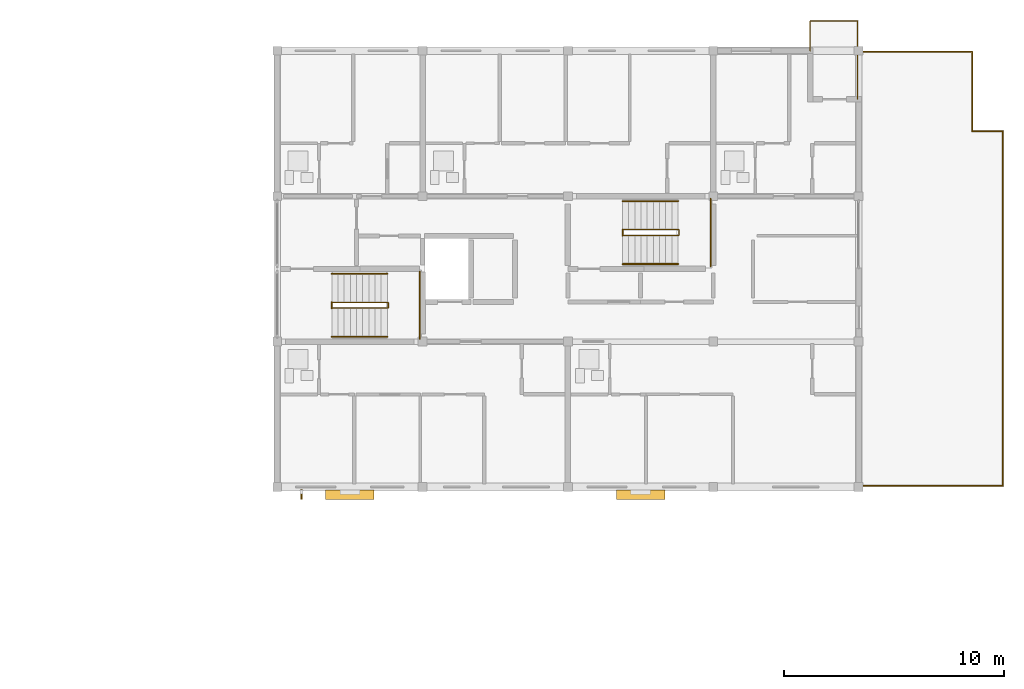
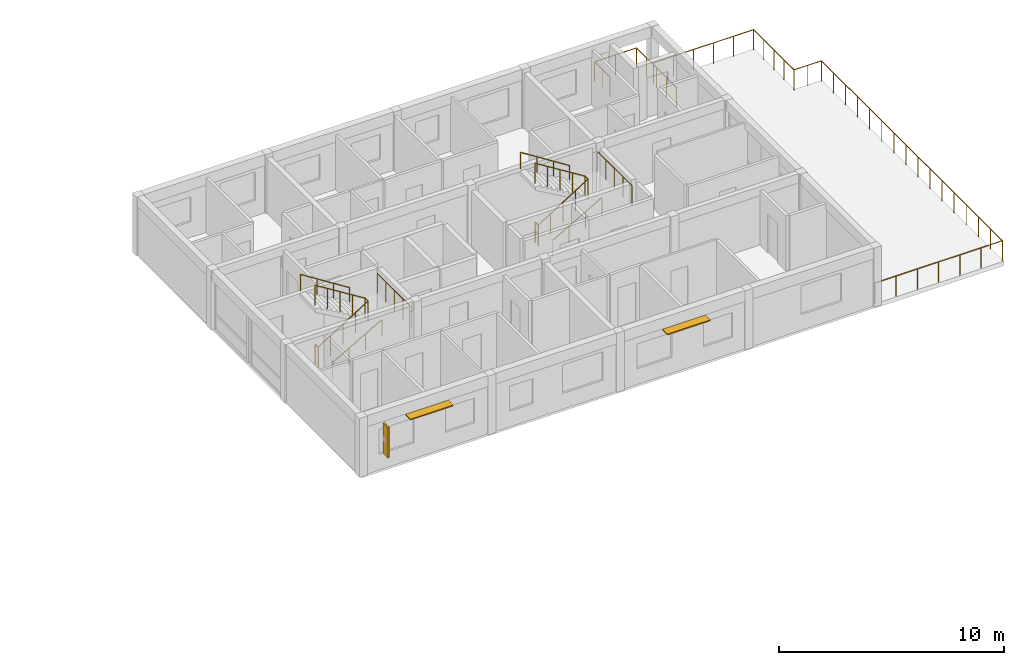
# One storey, part 21 of 22: 12 railings, 3 shading devices.
"""IFC4 building model written with IfcOpenShell, lengths in metres."""

from ifc_helpers import new_model, si_unit, direction, frame, origin, origin_2d, place, context, subcontext, project, spatial, rectangle, circle, extrude, material, layer, layer_set, type_object, element, save


model = new_model("IFC4")

# Units and contexts
model_context = context("Model", 3, precision=1e-05, world=origin(), true_north=direction((0.0, 1.0)))
body_context = subcontext(model_context, "Body", "Model", "MODEL_VIEW")
ifc_project = project(units=[si_unit("LENGTHUNIT", "METRE"), si_unit("AREAUNIT", "SQUARE_METRE"), si_unit("VOLUMEUNIT", "CUBIC_METRE"), si_unit("PLANEANGLEUNIT", "RADIAN"), si_unit("MASSUNIT", "GRAM", prefix="KILO")], contexts=[model_context])

# Site, building, storey
site_placement = place(None, origin())
site = spatial("IfcSite", under=ifc_project, at=site_placement, CompositionType="ELEMENT")
building_placement = place(site_placement, origin())
building = spatial("IfcBuilding", under=site, at=building_placement, Name="Kernevlak Ridge Housing Community", CompositionType="ELEMENT")
storey_placement = place(building_placement, frame((0.0, 0.0, 43.60009765625)))
storey = spatial("IfcBuildingStorey", under=building, at=storey_placement, Name="L13", CompositionType="ELEMENT", Elevation=43.60009765625)

# Railings
ifc_material_1 = material(Name="Steel S355", Category="steel")
railing_type_1 = type_object("IfcRailingType", Name="BL-01", PredefinedType="BALUSTRADE", material=ifc_material_1)
railing_1_placement = place(storey_placement, frame((143.60009765625, 102.39990234375, 0.0)))
element("IfcRailing", 1, at=railing_1_placement, inside=storey, type_object=railing_type_1, Name="Block B L13 balcony balustrade BL-01 31", PredefinedType="BALUSTRADE", context=body_context, shape_type="SweptSolid", body=[
    extrude(circle(Radius=0.02392578125, at=origin_2d()), frame((0.0, 0.0, 1.076171875), z_axis=(0.0, 1.0, 0.0), x_axis=(-1.0, 0.0, 0.0)), (0.0, 0.0, 1.0), 1.35009765625),
    extrude(circle(Radius=0.02392578125, at=origin_2d()), frame((0.0, 1.35009765625, 1.076171875), z_axis=(1.0, 0.0, 0.0), x_axis=(0.0, 1.0, 0.0)), (0.0, 0.0, 1.0), 2.14990234375),
    extrude(circle(Radius=0.02392578125, at=origin_2d()), frame((2.14990234375, 1.35009765625, 1.076171875), z_axis=(0.0, -1.0, 0.0), x_axis=(1.0, 0.0, 0.0)), (0.0, 0.0, 1.0), 3.550048828125),
    extrude(circle(Radius=0.02099609375, at=origin_2d()), origin(), (0.0, 0.0, 1.0), 1.052001953125),
    extrude(circle(Radius=0.02099609375, at=origin_2d()), frame((0.0, 0.675048828125, 0.0)), (0.0, 0.0, 1.0), 1.052001953125),
    extrude(circle(Radius=0.02099609375, at=origin_2d()), frame((0.0, 1.35009765625, 0.0)), (0.0, 0.0, 1.0), 1.052001953125),
    extrude(circle(Radius=0.02099609375, at=origin_2d()), frame((1.074951171875, 1.35009765625, 0.0)), (0.0, 0.0, 1.0), 1.052001953125),
    extrude(circle(Radius=0.02099609375, at=origin_2d()), frame((2.14990234375, 1.35009765625, 0.0)), (0.0, 0.0, 1.0), 1.052001953125),
    extrude(circle(Radius=0.02099609375, at=origin_2d()), frame((2.14990234375, 0.462646484375, 0.0)), (0.0, 0.0, 1.0), 1.052001953125),
    extrude(circle(Radius=0.02099609375, at=origin_2d()), frame((2.14990234375, -0.4248046875, 0.0)), (0.0, 0.0, 1.0), 1.052001953125),
    extrude(circle(Radius=0.02099609375, at=origin_2d()), frame((2.14990234375, -1.3125, 0.0)), (0.0, 0.0, 1.0), 1.052001953125),
    extrude(circle(Radius=0.02099609375, at=origin_2d()), frame((2.14990234375, -2.199951171875, 0.0)), (0.0, 0.0, 1.0), 1.052001953125),
])
railing_type_2 = type_object("IfcRailingType", Name="GR-01", PredefinedType="GUARDRAIL", material=ifc_material_1)
railing_2_placement = place(storey_placement, frame((145.800048828125, 82.64990234375, 0.0)))
element("IfcRailing", 2, at=railing_2_placement, inside=storey, type_object=railing_type_2, Name="Block B L13 setback terrace guard GR-01 32", PredefinedType="GUARDRAIL", context=body_context, shape_type="SweptSolid", body=[
    extrude(circle(Radius=0.02392578125, at=origin_2d()), frame((0.0, 0.0, 1.09619140625), z_axis=(1.0, 0.0, 0.0), x_axis=(0.0, 1.0, 0.0)), (0.0, 0.0, 1.0), 6.550048828125),
    extrude(circle(Radius=0.02392578125, at=origin_2d()), frame((6.550048828125, 0.0, 1.09619140625), z_axis=(0.0, 1.0, 0.0), x_axis=(-1.0, 0.0, 0.0)), (0.0, 0.0, 1.0), 16.10009765625),
    extrude(circle(Radius=0.02392578125, at=origin_2d()), frame((6.550048828125, 16.10009765625, 1.09619140625), z_axis=(-1.0, 0.0, 0.0), x_axis=(0.0, -1.0, 0.0)), (0.0, 0.0, 1.0), 1.400146484375),
    extrude(circle(Radius=0.02392578125, at=origin_2d()), frame((5.14990234375, 16.10009765625, 1.09619140625), z_axis=(0.0, 1.0, 0.0), x_axis=(-1.0, 0.0, 0.0)), (0.0, 0.0, 1.0), 3.60009765625),
    extrude(circle(Radius=0.02392578125, at=origin_2d()), frame((5.14990234375, 19.7001953125, 1.09619140625), z_axis=(-1.0, 0.0, 0.0), x_axis=(0.0, -1.0, 0.0)), (0.0, 0.0, 1.0), 5.14990234375),
    extrude(circle(Radius=0.02099609375, at=origin_2d()), origin(), (0.0, 0.0, 1.0), 1.072021484375),
    extrude(circle(Radius=0.02099609375, at=origin_2d()), frame((1.091796875, 0.0, 0.0)), (0.0, 0.0, 1.0), 1.072021484375),
    extrude(circle(Radius=0.02099609375, at=origin_2d()), frame((2.183349609375, 0.0, 0.0)), (0.0, 0.0, 1.0), 1.072021484375),
    extrude(circle(Radius=0.02099609375, at=origin_2d()), frame((3.27490234375, 0.0, 0.0)), (0.0, 0.0, 1.0), 1.072021484375),
    extrude(circle(Radius=0.02099609375, at=origin_2d()), frame((4.36669921875, 0.0, 0.0)), (0.0, 0.0, 1.0), 1.072021484375),
    extrude(circle(Radius=0.02099609375, at=origin_2d()), frame((5.45849609375, 0.0, 0.0)), (0.0, 0.0, 1.0), 1.072021484375),
    extrude(circle(Radius=0.02099609375, at=origin_2d()), frame((6.550048828125, 0.0, 0.0)), (0.0, 0.0, 1.0), 1.072021484375),
    extrude(circle(Radius=0.02099609375, at=origin_2d()), frame((6.550048828125, 1.0732421875, 0.0)), (0.0, 0.0, 1.0), 1.072021484375),
    extrude(circle(Radius=0.02099609375, at=origin_2d()), frame((6.550048828125, 2.146728515625, 0.0)), (0.0, 0.0, 1.0), 1.072021484375),
    extrude(circle(Radius=0.02099609375, at=origin_2d()), frame((6.550048828125, 3.219970703125, 0.0)), (0.0, 0.0, 1.0), 1.072021484375),
    extrude(circle(Radius=0.02099609375, at=origin_2d()), frame((6.550048828125, 4.29345703125, 0.0)), (0.0, 0.0, 1.0), 1.072021484375),
    extrude(circle(Radius=0.02099609375, at=origin_2d()), frame((6.550048828125, 5.36669921875, 0.0)), (0.0, 0.0, 1.0), 1.072021484375),
    extrude(circle(Radius=0.02099609375, at=origin_2d()), frame((6.550048828125, 6.43994140625, 0.0)), (0.0, 0.0, 1.0), 1.072021484375),
    extrude(circle(Radius=0.02099609375, at=origin_2d()), frame((6.550048828125, 7.513427734375, 0.0)), (0.0, 0.0, 1.0), 1.072021484375),
    extrude(circle(Radius=0.02099609375, at=origin_2d()), frame((6.550048828125, 8.586669921875, 0.0)), (0.0, 0.0, 1.0), 1.072021484375),
    extrude(circle(Radius=0.02099609375, at=origin_2d()), frame((6.550048828125, 9.66015625, 0.0)), (0.0, 0.0, 1.0), 1.072021484375),
    extrude(circle(Radius=0.02099609375, at=origin_2d()), frame((6.550048828125, 10.7333984375, 0.0)), (0.0, 0.0, 1.0), 1.072021484375),
    extrude(circle(Radius=0.02099609375, at=origin_2d()), frame((6.550048828125, 11.806640625, 0.0)), (0.0, 0.0, 1.0), 1.072021484375),
    extrude(circle(Radius=0.02099609375, at=origin_2d()), frame((6.550048828125, 12.880126953125, 0.0)), (0.0, 0.0, 1.0), 1.072021484375),
    extrude(circle(Radius=0.02099609375, at=origin_2d()), frame((6.550048828125, 13.953369140625, 0.0)), (0.0, 0.0, 1.0), 1.072021484375),
    extrude(circle(Radius=0.02099609375, at=origin_2d()), frame((6.550048828125, 15.02685546875, 0.0)), (0.0, 0.0, 1.0), 1.072021484375),
    extrude(circle(Radius=0.02099609375, at=origin_2d()), frame((6.550048828125, 16.10009765625, 0.0)), (0.0, 0.0, 1.0), 1.072021484375),
    extrude(circle(Radius=0.02099609375, at=origin_2d()), frame((5.85009765625, 16.10009765625, 0.0)), (0.0, 0.0, 1.0), 1.072021484375),
    extrude(circle(Radius=0.02099609375, at=origin_2d()), frame((5.14990234375, 16.10009765625, 0.0)), (0.0, 0.0, 1.0), 1.072021484375),
    extrude(circle(Radius=0.02099609375, at=origin_2d()), frame((5.14990234375, 17.0, 0.0)), (0.0, 0.0, 1.0), 1.072021484375),
    extrude(circle(Radius=0.02099609375, at=origin_2d()), frame((5.14990234375, 17.900146484375, 0.0)), (0.0, 0.0, 1.0), 1.072021484375),
    extrude(circle(Radius=0.02099609375, at=origin_2d()), frame((5.14990234375, 18.80029296875, 0.0)), (0.0, 0.0, 1.0), 1.072021484375),
    extrude(circle(Radius=0.02099609375, at=origin_2d()), frame((5.14990234375, 19.7001953125, 0.0)), (0.0, 0.0, 1.0), 1.072021484375),
    extrude(circle(Radius=0.02099609375, at=origin_2d()), frame((4.119873046875, 19.7001953125, 0.0)), (0.0, 0.0, 1.0), 1.072021484375),
    extrude(circle(Radius=0.02099609375, at=origin_2d()), frame((3.08984375, 19.7001953125, 0.0)), (0.0, 0.0, 1.0), 1.072021484375),
    extrude(circle(Radius=0.02099609375, at=origin_2d()), frame((2.06005859375, 19.7001953125, 0.0)), (0.0, 0.0, 1.0), 1.072021484375),
    extrude(circle(Radius=0.02099609375, at=origin_2d()), frame((1.030029296875, 19.7001953125, 0.0)), (0.0, 0.0, 1.0), 1.072021484375),
    extrude(circle(Radius=0.02099609375, at=origin_2d()), frame((0.0, 19.7001953125, 0.0)), (0.0, 0.0, 1.0), 1.072021484375),
])
railing_type_3 = type_object("IfcRailingType", Name="GR-02", PredefinedType="GUARDRAIL", material=ifc_material_1)
railing_3_placement = place(storey_placement, frame((121.8798828125, 90.7099609375, 0.0)))
element("IfcRailing", 3, at=railing_3_placement, inside=storey, type_object=railing_type_3, Name="Stair ST-B1 L13 well slot guard", PredefinedType="GUARDRAIL", context=body_context, shape_type="SweptSolid", body=[
    extrude(circle(Radius=0.02392578125, at=origin_2d()), frame((0.0, 0.0, 1.09619140625), z_axis=(0.0, 1.0, 0.0), x_axis=(-1.0, 0.0, 0.0)), (0.0, 0.0, 1.0), 0.280029296875),
    extrude(circle(Radius=0.02099609375, at=origin_2d()), origin(), (0.0, 0.0, 1.0), 1.072021484375),
    extrude(circle(Radius=0.02099609375, at=origin_2d()), frame((0.0, 0.280029296875, 0.0)), (0.0, 0.0, 1.0), 1.072021484375),
])
railing_4_placement = place(storey_placement, frame((121.8798828125, 90.719970703125, 0.0)))
element("IfcRailing", 4, at=railing_4_placement, inside=storey, type_object=railing_type_3, Name="Stair ST-B1 L13 inner well guardrail", PredefinedType="GUARDRAIL", context=body_context, shape_type="SweptSolid", body=[
    extrude(circle(Radius=0.02392578125, at=origin_2d()), frame((0.0, 0.0, 1.09619140625), z_axis=(0.848025563165, 0.0, 0.529955322851), x_axis=(0.0, 1.0, 0.0)), (0.0, 0.0, 1.0), 3.018798828125),
    extrude(circle(Radius=0.02392578125, at=origin_2d()), frame((2.56005859375, 0.0, 2.69580078125), z_axis=(0.0, 1.0, 0.0), x_axis=(-1.0, 0.0, 0.0)), (0.0, 0.0, 1.0), 0.260009765625),
    extrude(circle(Radius=0.02392578125, at=origin_2d()), frame((2.56005859375, 0.260009765625, 2.69580078125), z_axis=(-0.847989217509, 0.0, 0.530013478119), x_axis=(0.0, -1.0, 0.0)), (0.0, 0.0, 1.0), 3.01904296875),
    extrude(circle(Radius=0.02099609375, at=origin_2d()), origin(), (0.0, 0.0, 1.0), 1.072021484375),
    extrude(circle(Radius=0.02099609375, at=origin_2d()), frame((0.64013671875, 0.0, 0.39990234375)), (0.0, 0.0, 1.0), 1.072021484375),
    extrude(circle(Radius=0.02099609375, at=origin_2d()), frame((1.280029296875, 0.0, 0.7998046875)), (0.0, 0.0, 1.0), 1.072021484375),
    extrude(circle(Radius=0.02099609375, at=origin_2d()), frame((1.919921875, 0.0, 1.199951171875)), (0.0, 0.0, 1.0), 1.072021484375),
    extrude(circle(Radius=0.02099609375, at=origin_2d()), frame((2.56005859375, 0.0, 1.599853515625)), (0.0, 0.0, 1.0), 1.072021484375),
    extrude(circle(Radius=0.02099609375, at=origin_2d()), frame((2.56005859375, 0.260009765625, 1.599853515625)), (0.0, 0.0, 1.0), 1.072021484375),
    extrude(circle(Radius=0.02099609375, at=origin_2d()), frame((1.919921875, 0.260009765625, 2.0)), (0.0, 0.0, 1.0), 1.072021484375),
    extrude(circle(Radius=0.02099609375, at=origin_2d()), frame((1.280029296875, 0.260009765625, 2.39990234375)), (0.0, 0.0, 1.0), 1.072021484375),
    extrude(circle(Radius=0.02099609375, at=origin_2d()), frame((0.64013671875, 0.260009765625, 2.7998046875)), (0.0, 0.0, 1.0), 1.072021484375),
    extrude(circle(Radius=0.02099609375, at=origin_2d()), frame((0.0, 0.260009765625, 3.199951171875)), (0.0, 0.0, 1.0), 1.072021484375),
])
railing_5_placement = place(storey_placement, frame((125.8798828125, 89.320068359375, 1.599853515625)))
element("IfcRailing", 5, at=railing_5_placement, inside=storey, type_object=railing_type_3, Name="Stair ST-B1 L13 half-landing guard", PredefinedType="GUARDRAIL", context=body_context, shape_type="SweptSolid", body=[
    extrude(circle(Radius=0.02392578125, at=origin_2d()), frame((0.0, 0.0, 1.09619140625), z_axis=(0.0, 1.0, 0.0), x_axis=(-1.0, 0.0, 0.0)), (0.0, 0.0, 1.0), 3.059814453125),
    extrude(circle(Radius=0.02099609375, at=origin_2d()), origin(), (0.0, 0.0, 1.0), 1.072021484375),
    extrude(circle(Radius=0.02099609375, at=origin_2d()), frame((0.0, 0.764892578125, 0.0)), (0.0, 0.0, 1.0), 1.072021484375),
    extrude(circle(Radius=0.02099609375, at=origin_2d()), frame((0.0, 1.52978515625, 0.0)), (0.0, 0.0, 1.0), 1.072021484375),
    extrude(circle(Radius=0.02099609375, at=origin_2d()), frame((0.0, 2.294921875, 0.0)), (0.0, 0.0, 1.0), 1.072021484375),
    extrude(circle(Radius=0.02099609375, at=origin_2d()), frame((0.0, 3.059814453125, 0.0)), (0.0, 0.0, 1.0), 1.072021484375),
])
railing_6_placement = place(storey_placement, frame((135.080078125, 94.010009765625, 0.0)))
element("IfcRailing", 6, at=railing_6_placement, inside=storey, type_object=railing_type_3, Name="Stair ST-B2 L13 well slot guard", PredefinedType="GUARDRAIL", context=body_context, shape_type="SweptSolid", body=[
    extrude(circle(Radius=0.02392578125, at=origin_2d()), frame((0.0, 0.0, 1.09619140625), z_axis=(0.0, 1.0, 0.0), x_axis=(-1.0, 0.0, 0.0)), (0.0, 0.0, 1.0), 0.280029296875),
    extrude(circle(Radius=0.02099609375, at=origin_2d()), origin(), (0.0, 0.0, 1.0), 1.072021484375),
    extrude(circle(Radius=0.02099609375, at=origin_2d()), frame((0.0, 0.280029296875, 0.0)), (0.0, 0.0, 1.0), 1.072021484375),
])
railing_7_placement = place(storey_placement, frame((135.080078125, 94.02001953125, 0.0)))
element("IfcRailing", 7, at=railing_7_placement, inside=storey, type_object=railing_type_3, Name="Stair ST-B2 L13 inner well guardrail", PredefinedType="GUARDRAIL", context=body_context, shape_type="SweptSolid", body=[
    extrude(circle(Radius=0.02392578125, at=origin_2d()), frame((0.0, 0.0, 1.09619140625), z_axis=(0.848002847666, 0.0, 0.529991670077), x_axis=(0.0, 1.0, 0.0)), (0.0, 0.0, 1.0), 3.0185546875),
    extrude(circle(Radius=0.02392578125, at=origin_2d()), frame((2.559814453125, 0.0, 2.69580078125), z_axis=(0.0, 1.0, 0.0), x_axis=(-1.0, 0.0, 0.0)), (0.0, 0.0, 1.0), 0.260009765625),
    extrude(circle(Radius=0.02392578125, at=origin_2d()), frame((2.559814453125, 0.260009765625, 2.69580078125), z_axis=(-0.847966497998, 0.0, 0.530049826217), x_axis=(0.0, -1.0, 0.0)), (0.0, 0.0, 1.0), 3.018798828125),
    extrude(circle(Radius=0.02099609375, at=origin_2d()), origin(), (0.0, 0.0, 1.0), 1.072021484375),
    extrude(circle(Radius=0.02099609375, at=origin_2d()), frame((0.639892578125, 0.0, 0.39990234375)), (0.0, 0.0, 1.0), 1.072021484375),
    extrude(circle(Radius=0.02099609375, at=origin_2d()), frame((1.27978515625, 0.0, 0.7998046875)), (0.0, 0.0, 1.0), 1.072021484375),
    extrude(circle(Radius=0.02099609375, at=origin_2d()), frame((1.919921875, 0.0, 1.199951171875)), (0.0, 0.0, 1.0), 1.072021484375),
    extrude(circle(Radius=0.02099609375, at=origin_2d()), frame((2.559814453125, 0.0, 1.599853515625)), (0.0, 0.0, 1.0), 1.072021484375),
    extrude(circle(Radius=0.02099609375, at=origin_2d()), frame((2.559814453125, 0.260009765625, 1.599853515625)), (0.0, 0.0, 1.0), 1.072021484375),
    extrude(circle(Radius=0.02099609375, at=origin_2d()), frame((1.919921875, 0.260009765625, 2.0)), (0.0, 0.0, 1.0), 1.072021484375),
    extrude(circle(Radius=0.02099609375, at=origin_2d()), frame((1.27978515625, 0.260009765625, 2.39990234375)), (0.0, 0.0, 1.0), 1.072021484375),
    extrude(circle(Radius=0.02099609375, at=origin_2d()), frame((0.639892578125, 0.260009765625, 2.7998046875)), (0.0, 0.0, 1.0), 1.072021484375),
    extrude(circle(Radius=0.02099609375, at=origin_2d()), frame((0.0, 0.260009765625, 3.199951171875)), (0.0, 0.0, 1.0), 1.072021484375),
])
railing_8_placement = place(storey_placement, frame((139.080078125, 92.6201171875, 1.599853515625)))
element("IfcRailing", 8, at=railing_8_placement, inside=storey, type_object=railing_type_3, Name="Stair ST-B2 L13 half-landing guard", PredefinedType="GUARDRAIL", context=body_context, shape_type="SweptSolid", body=[
    extrude(circle(Radius=0.02392578125, at=origin_2d()), frame((0.0, 0.0, 1.09619140625), z_axis=(0.0, 1.0, 0.0), x_axis=(-1.0, 0.0, 0.0)), (0.0, 0.0, 1.0), 3.059814453125),
    extrude(circle(Radius=0.02099609375, at=origin_2d()), origin(), (0.0, 0.0, 1.0), 1.072021484375),
    extrude(circle(Radius=0.02099609375, at=origin_2d()), frame((0.0, 0.764892578125, 0.0)), (0.0, 0.0, 1.0), 1.072021484375),
    extrude(circle(Radius=0.02099609375, at=origin_2d()), frame((0.0, 1.52978515625, 0.0)), (0.0, 0.0, 1.0), 1.072021484375),
    extrude(circle(Radius=0.02099609375, at=origin_2d()), frame((0.0, 2.294921875, 0.0)), (0.0, 0.0, 1.0), 1.072021484375),
    extrude(circle(Radius=0.02099609375, at=origin_2d()), frame((0.0, 3.059814453125, 0.0)), (0.0, 0.0, 1.0), 1.072021484375),
])
ifc_material_2 = material(Name="Stainless steel EN 1.4401", Category="steel")
railing_type_4 = type_object("IfcRailingType", Name="HR-01", PredefinedType="HANDRAIL", material=ifc_material_2)
railing_9_placement = place(storey_placement, frame((121.8798828125, 89.419921875, 0.159912109375)))
element("IfcRailing", 9, at=railing_9_placement, inside=storey, type_object=railing_type_4, Name="Stair ST-B1 L13 flight 1 handrail", PredefinedType="HANDRAIL", context=body_context, shape_type="SweptSolid", body=[
    extrude(circle(Radius=0.02392578125, at=origin_2d()), frame((0.0, 0.0, 0.89599609375), z_axis=(0.868253494771, 0.0, 0.496120820787), x_axis=(0.0, 1.0, 0.0)), (0.0, 0.0, 1.0), 2.90234375),
    extrude(circle(Radius=0.02099609375, at=origin_2d()), origin(), (0.0, 0.0, 1.0), 0.871826171875),
    extrude(circle(Radius=0.02099609375, at=origin_2d()), frame((0.840087890625, 0.0, 0.47998046875)), (0.0, 0.0, 1.0), 0.871826171875),
    extrude(circle(Radius=0.02099609375, at=origin_2d()), frame((1.679931640625, 0.0, 0.9599609375)), (0.0, 0.0, 1.0), 0.871826171875),
    extrude(circle(Radius=0.02099609375, at=origin_2d()), frame((2.52001953125, 0.0, 1.43994140625)), (0.0, 0.0, 1.0), 0.871826171875),
])
railing_10_placement = place(storey_placement, frame((124.39990234375, 92.280029296875, 1.599853515625)))
element("IfcRailing", 10, at=railing_10_placement, inside=storey, type_object=railing_type_4, Name="Stair ST-B1 L13 flight 2 handrail", PredefinedType="HANDRAIL", context=body_context, shape_type="SweptSolid", body=[
    extrude(circle(Radius=0.02392578125, at=origin_2d()), frame((0.0, 0.0, 0.89599609375), z_axis=(-0.844199891302, 0.0, 0.536028491338), x_axis=(0.0, -1.0, 0.0)), (0.0, 0.0, 1.0), 2.985107421875),
    extrude(circle(Radius=0.02099609375, at=origin_2d()), origin(), (0.0, 0.0, 1.0), 0.871826171875),
    extrude(circle(Radius=0.02099609375, at=origin_2d()), frame((-0.840087890625, 0.0, 0.533447265625)), (0.0, 0.0, 1.0), 0.871826171875),
    extrude(circle(Radius=0.02099609375, at=origin_2d()), frame((-1.679931640625, 0.0, 1.066650390625)), (0.0, 0.0, 1.0), 0.871826171875),
    extrude(circle(Radius=0.02099609375, at=origin_2d()), frame((-2.52001953125, 0.0, 1.60009765625)), (0.0, 0.0, 1.0), 0.871826171875),
])
railing_11_placement = place(storey_placement, frame((135.080078125, 92.719970703125, 0.159912109375)))
element("IfcRailing", 11, at=railing_11_placement, inside=storey, type_object=railing_type_4, Name="Stair ST-B2 L13 flight 1 handrail", PredefinedType="HANDRAIL", context=body_context, shape_type="SweptSolid", body=[
    extrude(circle(Radius=0.02392578125, at=origin_2d()), frame((0.0, 0.0, 0.89599609375), z_axis=(0.868253494771, 0.0, 0.496120820787), x_axis=(0.0, 1.0, 0.0)), (0.0, 0.0, 1.0), 2.90234375),
    extrude(circle(Radius=0.02099609375, at=origin_2d()), origin(), (0.0, 0.0, 1.0), 0.871826171875),
    extrude(circle(Radius=0.02099609375, at=origin_2d()), frame((0.840087890625, 0.0, 0.47998046875)), (0.0, 0.0, 1.0), 0.871826171875),
    extrude(circle(Radius=0.02099609375, at=origin_2d()), frame((1.679931640625, 0.0, 0.9599609375)), (0.0, 0.0, 1.0), 0.871826171875),
    extrude(circle(Radius=0.02099609375, at=origin_2d()), frame((2.52001953125, 0.0, 1.43994140625)), (0.0, 0.0, 1.0), 0.871826171875),
])
railing_12_placement = place(storey_placement, frame((137.60009765625, 95.580078125, 1.599853515625)))
element("IfcRailing", 12, at=railing_12_placement, inside=storey, type_object=railing_type_4, Name="Stair ST-B2 L13 flight 2 handrail", PredefinedType="HANDRAIL", context=body_context, shape_type="SweptSolid", body=[
    extrude(circle(Radius=0.02392578125, at=origin_2d()), frame((0.0, 0.0, 0.89599609375), z_axis=(-0.844199891302, 0.0, 0.536028491338), x_axis=(0.0, -1.0, 0.0)), (0.0, 0.0, 1.0), 2.985107421875),
    extrude(circle(Radius=0.02099609375, at=origin_2d()), origin(), (0.0, 0.0, 1.0), 0.871826171875),
    extrude(circle(Radius=0.02099609375, at=origin_2d()), frame((-0.840087890625, 0.0, 0.533447265625)), (0.0, 0.0, 1.0), 0.871826171875),
    extrude(circle(Radius=0.02099609375, at=origin_2d()), frame((-1.679931640625, 0.0, 1.066650390625)), (0.0, 0.0, 1.0), 0.871826171875),
    extrude(circle(Radius=0.02099609375, at=origin_2d()), frame((-2.52001953125, 0.0, 1.60009765625)), (0.0, 0.0, 1.0), 0.871826171875),
])

# Shading devices
ifc_material_3 = material(Name="Aluminium EN AW-6060 anodised", Category="aluminium")
ifc_layer = layer(ifc_material_3, 0.06005859375, Name="Aluminium EN AW-6060 anodised")
ifc_layer_set = layer_set([ifc_layer], Name="Aluminium EN AW-6060 anodised")
shading_device_type_1 = type_object("IfcShadingDeviceType", Name="LV-01", PredefinedType="JALOUSIE", material=ifc_layer_set)
for number, where, z_axis, x_axis, name in (
    (13, (122.699951171875, 82.25, 2.489990234375), (0.0, 0.0, 1.0), (1.0, 0.0, 0.0), "Horizontal solar louvre 27"),
    (14, (135.89990234375, 82.25, 2.489990234375), (0.0, 0.0, 1.0), (1.0, 0.0, 0.0), "Horizontal solar louvre 28"),
):
    element("IfcShadingDevice", number, at=place(storey_placement, frame(where, z_axis=z_axis, x_axis=x_axis)), inside=storey, type_object=shading_device_type_1, Name=name, PredefinedType="JALOUSIE", context=body_context, shape_type="SweptSolid", body=[
        extrude(rectangle(XDim=2.199951171875, YDim=0.43994140625, at=origin_2d()), origin(), (0.0, 0.0, 1.0), 0.06005859375),
    ])
ifc_material_4 = material(Name="Aluminium EN AW-6060 enamelled", Category="aluminium")
shading_device_type_2 = type_object("IfcShadingDeviceType", Name="LV-02", PredefinedType="USERDEFINED", material=ifc_material_4)
shading_device_placement = place(storey_placement, frame((120.5, 82.260009765625, 0.824951171875), z_axis=(0.0, 0.0, 1.0), x_axis=(1.0, 0.0, 0.0)))
element("IfcShadingDevice", 15, at=shading_device_placement, inside=storey, type_object=shading_device_type_2, Name="De Stijl yellow vertical solar fin 27", ObjectType="LOUVRE", PredefinedType="USERDEFINED", context=body_context, shape_type="SweptSolid", body=[
    extrude(rectangle(XDim=0.080078125, YDim=0.419921875, at=origin_2d()), origin(), (0.0, 0.0, 1.0), 1.64990234375),
])

save(model, "model.ifc")
